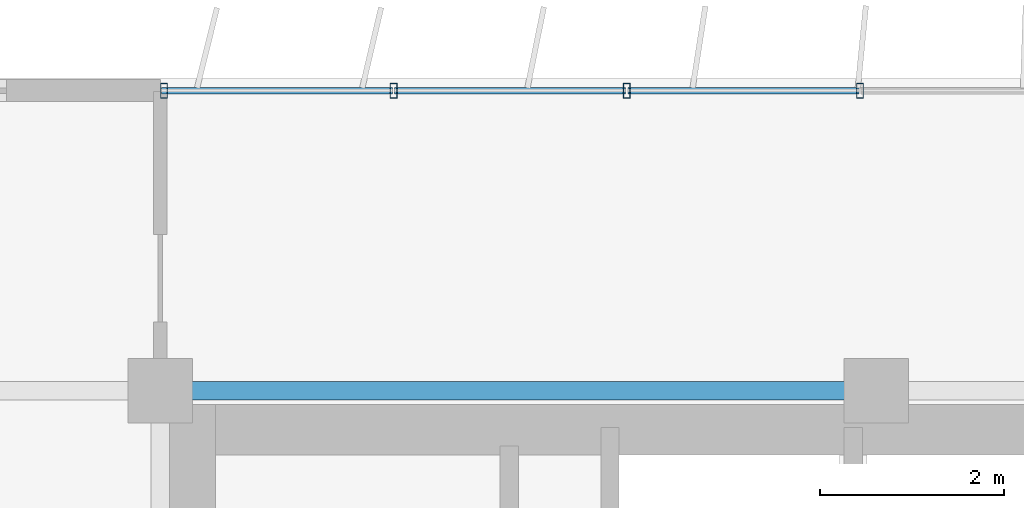
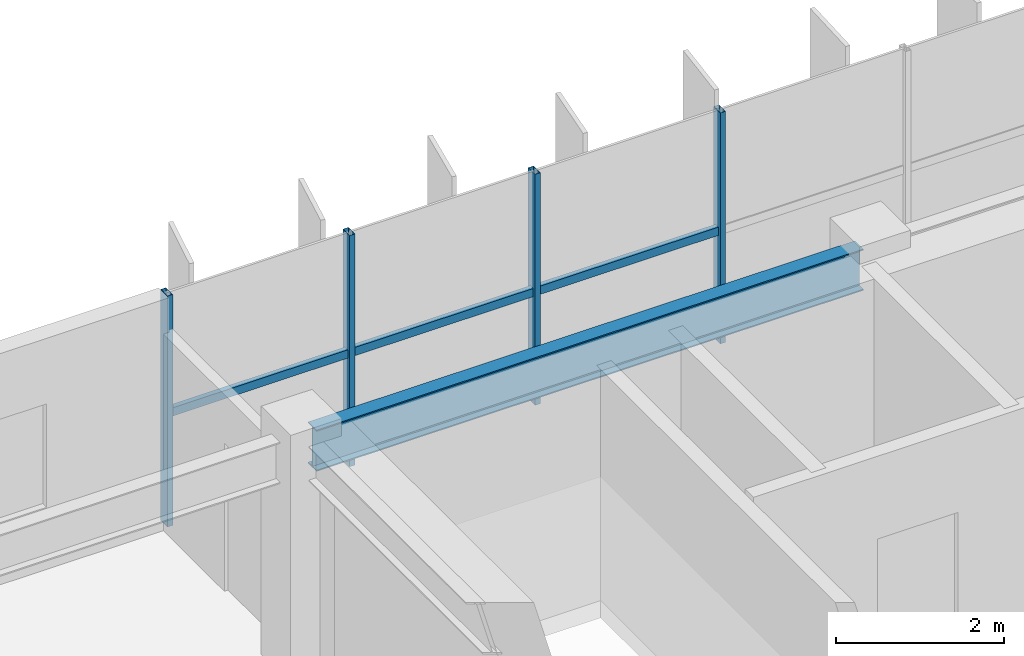
# One storey, part 4 of 21: 7 members, 1 beam, 1 element without a shape of its own.
"""IFC4 building model written with IfcOpenShell, lengths in metres."""

from ifc_helpers import new_model, si_unit, direction, frame, origin, origin_2d, place, context, subcontext, project, spatial, hollow_rectangle, i_section, extrude, source, transform, mapped, material, material_profile, profile_set, type_object, element, aggregate, save


model = new_model("IFC4")

# Units and contexts
model_context = context("Model", 3, precision=1e-05, world=origin(), true_north=direction((0.0, 1.0)))
body_context = subcontext(model_context, "Body", "Model", "MODEL_VIEW")
ifc_project = project(units=[si_unit("LENGTHUNIT", "METRE"), si_unit("AREAUNIT", "SQUARE_METRE"), si_unit("VOLUMEUNIT", "CUBIC_METRE"), si_unit("PLANEANGLEUNIT", "RADIAN"), si_unit("MASSUNIT", "GRAM", prefix="KILO")], contexts=[model_context])

# Site, building, storey
site_placement = place(None, origin())
site = spatial("IfcSite", under=ifc_project, at=site_placement, CompositionType="ELEMENT")
building_placement = place(site_placement, origin())
building = spatial("IfcBuilding", under=site, at=building_placement, Name="Trelvane Seafront Commons", CompositionType="ELEMENT")
storey_placement = place(building_placement, frame((0.0, 0.0, 157.300048828125)))
storey = spatial("IfcBuildingStorey", under=building, at=storey_placement, Name="L41", CompositionType="ELEMENT", Elevation=157.300048828125)

# Beam
ifc_material_1 = material(Name="Steel SM355 (S355)", Category="steel")
ifc_material_profile_1 = material_profile(ifc_material_1, i_section(OverallWidth=0.199951171875, OverallDepth=0.60009765625, WebThickness=0.010986328125, FlangeThickness=0.01708984375, at=origin_2d()), Name="H-600x200x11x17")
ifc_profile_set_1 = profile_set([ifc_material_profile_1], Name="Steel SM355 (S355)")
beam_type = type_object("IfcBeamType", Name="STR-SPD-H600", PredefinedType="SPANDREL", material=ifc_profile_set_1)
shared_shape_1 = source(origin(), body_context, "Body", "SweptSolid", [
    extrude(i_section(OverallWidth=0.199951171875, OverallDepth=0.60009765625, WebThickness=0.010986328125, FlangeThickness=0.01708984375, at=origin_2d()), origin(), (0.0, 0.0, 1.0), 7.5),
])
beam_placement = place(storey_placement, frame((15.75, 45.10009765625, 3.050048828125), z_axis=(1.0, 0.0, 0.0), x_axis=(0.0, 1.0, 0.0)))
element("IfcBeam", 1, at=beam_placement, inside=storey, type_object=beam_type, Name="L41 Primary Girder G-23", PredefinedType="SPANDREL", context=body_context, shape_type="MappedRepresentation", body=[
    mapped(shared_shape_1, transform((0.0, 0.0, 0.0), x_axis=(1.0, 0.0, 0.0), y_axis=(0.0, 1.0, 0.0), z_axis=(0.0, 0.0, 1.0), scale=1.0)),
])

# Curtain wall, members
ifc_material_2 = material(Name="Anodised pale-silver aluminium", Category="aluminium")
curtain_wall_type = type_object("IfcCurtainWallType", Name="ARCH-CW5-UPTOWER", PredefinedType="NOTDEFINED", material=ifc_material_2)
curtain_wall_placement = place(storey_placement, origin())
curtain_wall = element("IfcCurtainWall", 2, at=curtain_wall_placement, inside=storey, type_object=curtain_wall_type, Name="CW-L41-0068", PredefinedType="NOTDEFINED")
ifc_material_profile_2 = material_profile(ifc_material_2, hollow_rectangle(XDim=0.070068359375, YDim=0.1201171875, WallThickness=0.00390625, at=origin_2d()), Name="TRAN-70x120x4")
ifc_profile_set_2 = profile_set([ifc_material_profile_2], Name="Anodised pale-silver aluminium")
member_type_1 = type_object("IfcMemberType", Name="ARCH-CW-TRAN-120", PredefinedType="USERDEFINED", material=ifc_profile_set_2)
shared_shape_2 = source(origin(), body_context, "Body", "SweptSolid", [
    extrude(hollow_rectangle(XDim=0.070068359375, YDim=0.1201171875, WallThickness=0.00390625, at=origin_2d()), origin(), (0.0, 0.0, 1.0), 2.51708984375),
])
member_1_placement = place(storey_placement, frame((15.612060546875, 48.3701171875, 1.60791015625), z_axis=(1.0, 0.0, 0.0), x_axis=(0.0, 1.0, 0.0)))
member_1 = element("IfcMember", 3, at=member_1_placement, type_object=member_type_1, Name="CW-L41-0068-T00", ObjectType="TRANSOM", PredefinedType="USERDEFINED", context=body_context, shape_type="MappedRepresentation", body=[
    mapped(shared_shape_2, transform((0.0, 0.0, 0.0), x_axis=(1.0, 0.0, 0.0), y_axis=(0.0, 1.0, 0.0), z_axis=(0.0, 0.0, 1.0), scale=1.0)),
])
member_2_placement = place(storey_placement, frame((18.1533203125, 48.3701171875, 1.60791015625), z_axis=(1.0, 0.0, 0.0), x_axis=(0.0, 1.0, 0.0)))
member_2 = element("IfcMember", 4, at=member_2_placement, type_object=member_type_1, Name="CW-L41-0068-T01", ObjectType="TRANSOM", PredefinedType="USERDEFINED", context=body_context, shape_type="MappedRepresentation", body=[
    mapped(shared_shape_2, transform((0.0, 0.0, 0.0), x_axis=(1.0, 0.0, 0.0), y_axis=(0.0, 1.0, 0.0), z_axis=(0.0, 0.0, 1.0), scale=1.0)),
])
member_3_placement = place(storey_placement, frame((20.6943359375, 48.3701171875, 1.60791015625), z_axis=(1.0, 0.0, 0.0), x_axis=(0.0, 1.0, 0.0)))
member_3 = element("IfcMember", 5, at=member_3_placement, type_object=member_type_1, Name="CW-L41-0068-T02", ObjectType="TRANSOM", PredefinedType="USERDEFINED", context=body_context, shape_type="MappedRepresentation", body=[
    mapped(shared_shape_2, transform((0.0, 0.0, 0.0), x_axis=(1.0, 0.0, 0.0), y_axis=(0.0, 1.0, 0.0), z_axis=(0.0, 0.0, 1.0), scale=1.0)),
])
ifc_material_profile_3 = material_profile(ifc_material_2, hollow_rectangle(XDim=0.074951171875, YDim=0.159912109375, WallThickness=0.00390625, at=origin_2d()), Name="MULL-75x160x4")
ifc_profile_set_3 = profile_set([ifc_material_profile_3], Name="Anodised pale-silver aluminium")
member_type_2 = type_object("IfcMemberType", Name="ARCH-CW-MULL-160", PredefinedType="MULLION", material=ifc_profile_set_3)
shared_shape_3 = source(origin(), body_context, "Body", "SweptSolid", [
    extrude(hollow_rectangle(XDim=0.074951171875, YDim=0.159912109375, WallThickness=0.00390625, at=origin_2d()), origin(), (0.0, 0.0, 1.0), 3.349853515625),
])
member_4_placement = place(storey_placement, frame((15.639892578125, 48.3701171875, 0.0), z_axis=(0.0, 0.0, 1.0), x_axis=(1.0, 0.0, 0.0)))
member_4 = element("IfcMember", 6, at=member_4_placement, type_object=member_type_2, Name="CW-L41-0068-M00", PredefinedType="MULLION", context=body_context, shape_type="MappedRepresentation", body=[
    mapped(shared_shape_3, transform((0.0, 0.0, 0.0), x_axis=(1.0, 0.0, 0.0), y_axis=(0.0, 1.0, 0.0), z_axis=(0.0, 0.0, 1.0), scale=1.0)),
])
member_5_placement = place(storey_placement, frame((18.14111328125, 48.3701171875, 0.0), z_axis=(0.0, 0.0, 1.0), x_axis=(1.0, 0.0, 0.0)))
member_5 = element("IfcMember", 7, at=member_5_placement, type_object=member_type_2, Name="CW-L41-0068-M01", PredefinedType="MULLION", context=body_context, shape_type="MappedRepresentation", body=[
    mapped(shared_shape_3, transform((0.0, 0.0, 0.0), x_axis=(1.0, 0.0, 0.0), y_axis=(0.0, 1.0, 0.0), z_axis=(0.0, 0.0, 1.0), scale=1.0)),
])
member_6_placement = place(storey_placement, frame((20.682373046875, 48.3701171875, 0.0), z_axis=(0.0, 0.0, 1.0), x_axis=(1.0, 0.0, 0.0)))
member_6 = element("IfcMember", 8, at=member_6_placement, type_object=member_type_2, Name="CW-L41-0068-M02", PredefinedType="MULLION", context=body_context, shape_type="MappedRepresentation", body=[
    mapped(shared_shape_3, transform((0.0, 0.0, 0.0), x_axis=(1.0, 0.0, 0.0), y_axis=(0.0, 1.0, 0.0), z_axis=(0.0, 0.0, 1.0), scale=1.0)),
])
member_7_placement = place(storey_placement, frame((23.223388671875, 48.3701171875, 0.0), z_axis=(0.0, 0.0, 1.0), x_axis=(1.0, 0.0, 0.0)))
member_7 = element("IfcMember", 9, at=member_7_placement, type_object=member_type_2, Name="CW-L41-0068-M03", PredefinedType="MULLION", context=body_context, shape_type="MappedRepresentation", body=[
    mapped(shared_shape_3, transform((0.0, 0.0, 0.0), x_axis=(1.0, 0.0, 0.0), y_axis=(0.0, 1.0, 0.0), z_axis=(0.0, 0.0, 1.0), scale=1.0)),
])
aggregate(curtain_wall, [member_4, member_5, member_6, member_7, member_1, member_2, member_3])

save(model, "model.ifc")
